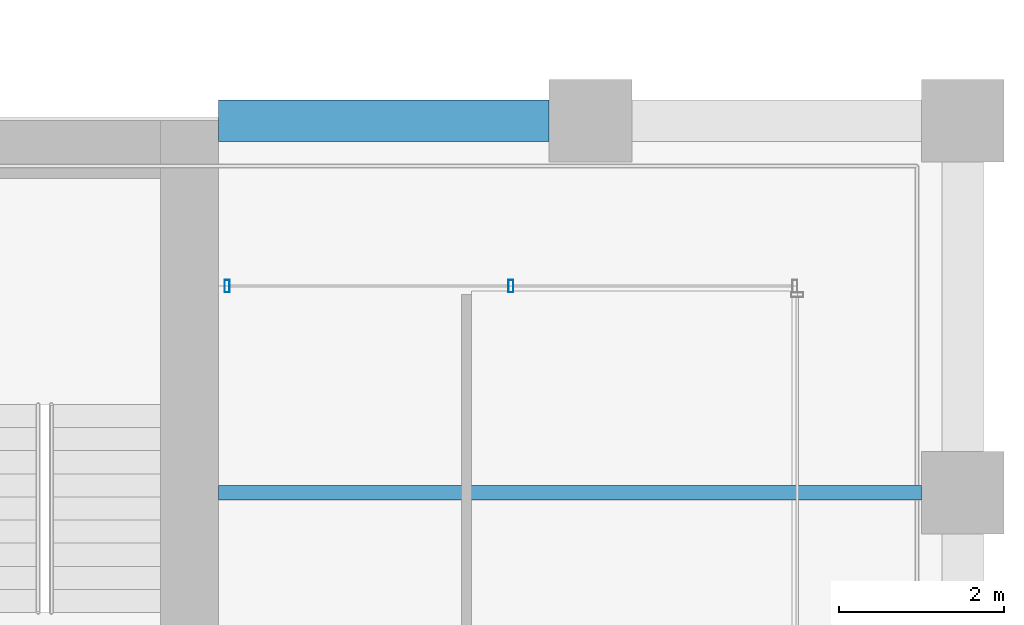
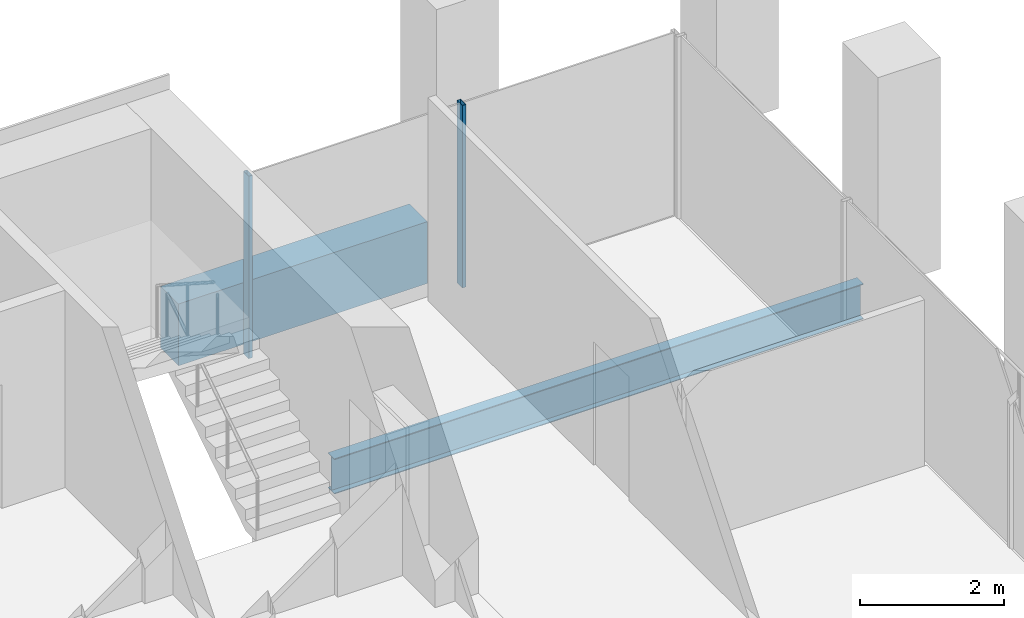
# One storey, part 36 of 46: 2 beams, 2 members, 1 element without a shape of its own.
"""IFC4 building model written with IfcOpenShell, lengths in metres."""

from ifc_helpers import new_model, si_unit, direction, frame, origin, origin_2d, place, context, subcontext, project, spatial, rectangle, hollow_rectangle, i_section, extrude, material, material_profile, profile_set, type_object, element, aggregate, save


model = new_model("IFC4")

# Units and contexts
model_context = context("Model", 3, precision=1e-05, world=origin(), true_north=direction((0.0, 1.0)))
body_context = subcontext(model_context, "Body", "Model", "MODEL_VIEW")
ifc_project = project(units=[si_unit("LENGTHUNIT", "METRE"), si_unit("AREAUNIT", "SQUARE_METRE"), si_unit("VOLUMEUNIT", "CUBIC_METRE"), si_unit("PLANEANGLEUNIT", "RADIAN"), si_unit("MASSUNIT", "GRAM", prefix="KILO")], contexts=[model_context])

# Site, building, storey
site_placement = place(None, origin())
site = spatial("IfcSite", under=ifc_project, at=site_placement, CompositionType="ELEMENT")
building_placement = place(site_placement, origin())
building = spatial("IfcBuilding", under=site, at=building_placement, Name="Altepetl Exchange Towers", CompositionType="ELEMENT")
storey_placement = place(building_placement, frame((0.0, 0.0, 131.60009765625)))
storey = spatial("IfcBuildingStorey", under=building, at=storey_placement, Name="L32", CompositionType="ELEMENT", Elevation=131.60009765625)

# Beam
ifc_material_1 = material(Name="Steel S355", Category="steel")
ifc_material_profile_1 = material_profile(ifc_material_1, i_section(OverallWidth=0.177978515625, OverallDepth=0.59912109375, WebThickness=0.010009765625, FlangeThickness=0.0126953125, at=origin_2d()), Name="W24X55")
ifc_profile_set_1 = profile_set([ifc_material_profile_1], Name="Steel S355")
beam_type_1 = type_object("IfcBeamType", Name="Floor beam W24X55", PredefinedType="BEAM", material=ifc_profile_set_1)
beam_1_placement = place(storey_placement, frame((117.0, 45.0, -0.44970703125), z_axis=(1.0, 0.0, 0.0), x_axis=(0.0, 1.0, 0.0)))
element("IfcBeam", 1, at=beam_1_placement, inside=storey, type_object=beam_type_1, Name="bm:B:L32:003", PredefinedType="BEAM", context=body_context, shape_type="SweptSolid", body=[
    extrude(i_section(OverallWidth=0.177978515625, OverallDepth=0.59912109375, WebThickness=0.010009765625, FlangeThickness=0.0126953125, at=origin_2d()), origin(), (0.0, 0.0, 1.0), 8.5),
])

# Curtain wall, members
ifc_material_2 = material(Name="Aluminium 6063-T6 glazing", Category="aluminium")
curtain_wall_type = type_object("IfcCurtainWallType", Name="Loggia glazing system", PredefinedType="NOTDEFINED", material=ifc_material_2)
curtain_wall_placement = place(storey_placement, origin())
curtain_wall = element("IfcCurtainWall", 2, at=curtain_wall_placement, inside=storey, type_object=curtain_wall_type, Name="CW1 run", PredefinedType="NOTDEFINED")
ifc_material_3 = material(Name="Aluminium 6063-T6", Category="aluminium")
ifc_material_profile_2 = material_profile(ifc_material_3, hollow_rectangle(XDim=0.06005859375, YDim=0.14990234375, WallThickness=0.0029296875, at=origin_2d()), Name="Mullion 60x150 aluminium")
ifc_profile_set_2 = profile_set([ifc_material_profile_2], Name="Aluminium 6063-T6")
member_type = type_object("IfcMemberType", Name="Mullion 60x150 aluminium", PredefinedType="MULLION", material=ifc_profile_set_2)
member_1_placement = place(storey_placement, frame((120.53759765625, 47.5, 0.0), z_axis=(0.0, 0.0, 1.0), x_axis=(-1.0, 0.0, 0.0)))
member_1 = element("IfcMember", 3, at=member_1_placement, type_object=member_type, Name="MU1 mullion", PredefinedType="MULLION", context=body_context, shape_type="SweptSolid", body=[
    extrude(hollow_rectangle(XDim=0.06005859375, YDim=0.14990234375, WallThickness=0.0029296875, at=origin_2d()), origin(), (0.0, 0.0, 1.0), 3.099853515625),
])
member_2_placement = place(storey_placement, frame((117.10498046875, 47.5, 0.0), z_axis=(0.0, 0.0, 1.0), x_axis=(-1.0, 0.0, 0.0)))
member_2 = element("IfcMember", 4, at=member_2_placement, type_object=member_type, Name="MU1 mullion", PredefinedType="MULLION", context=body_context, shape_type="SweptSolid", body=[
    extrude(hollow_rectangle(XDim=0.06005859375, YDim=0.14990234375, WallThickness=0.0029296875, at=origin_2d()), origin(), (0.0, 0.0, 1.0), 3.099853515625),
])
aggregate(curtain_wall, [member_1, member_2])

# Beam
ifc_material_4 = material(Name="Concrete C50/60 precast with cantera amarilla facing", Category="concrete")
ifc_material_profile_3 = material_profile(ifc_material_4, rectangle(XDim=0.5, YDim=1.050048828125, at=origin_2d()), Name="500 x 1050")
ifc_profile_set_3 = profile_set([ifc_material_profile_3], Name="Concrete C50/60 precast with cantera amarilla facing")
beam_type_2 = type_object("IfcBeamType", Name="Spandrel beam 500x1050 cantera amarilla", PredefinedType="SPANDREL", material=ifc_profile_set_3)
beam_2_placement = place(storey_placement, frame((121.0, 49.5, -0.675048828125), z_axis=(-1.0, 0.0, 0.0), x_axis=(0.0, -1.0, 0.0)))
element("IfcBeam", 5, at=beam_2_placement, inside=storey, type_object=beam_type_2, Name="sp:B:L32:014", PredefinedType="SPANDREL", context=body_context, shape_type="SweptSolid", body=[
    extrude(rectangle(XDim=0.5, YDim=1.050048828125, at=origin_2d()), origin(), (0.0, 0.0, 1.0), 4.0),
])

save(model, "model.ifc")
